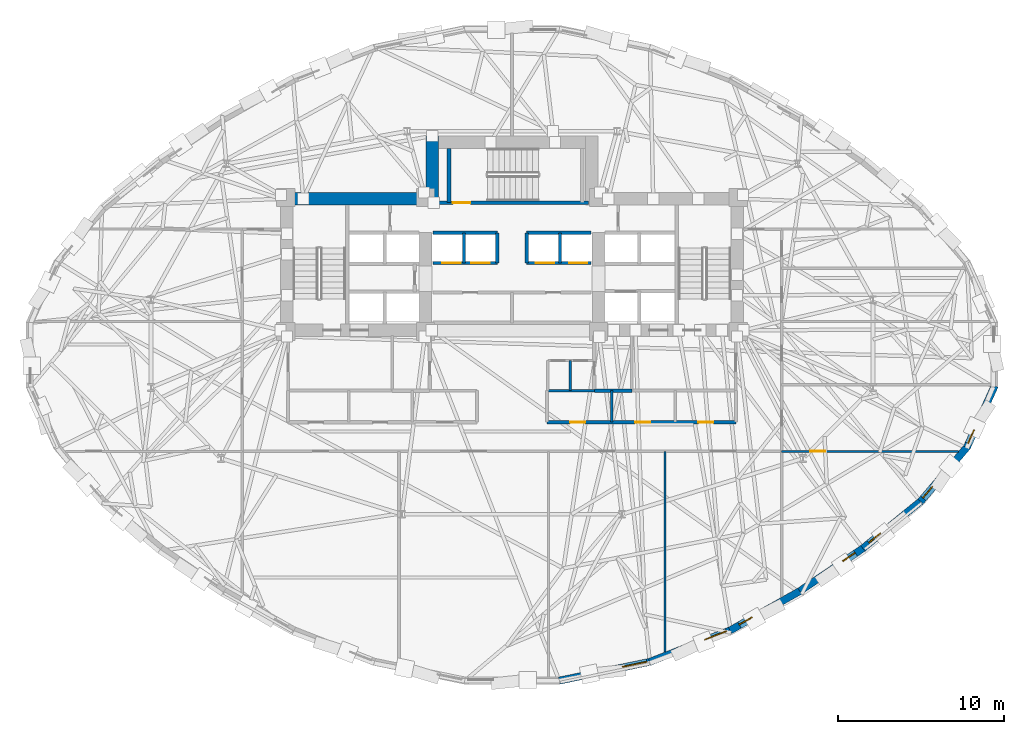
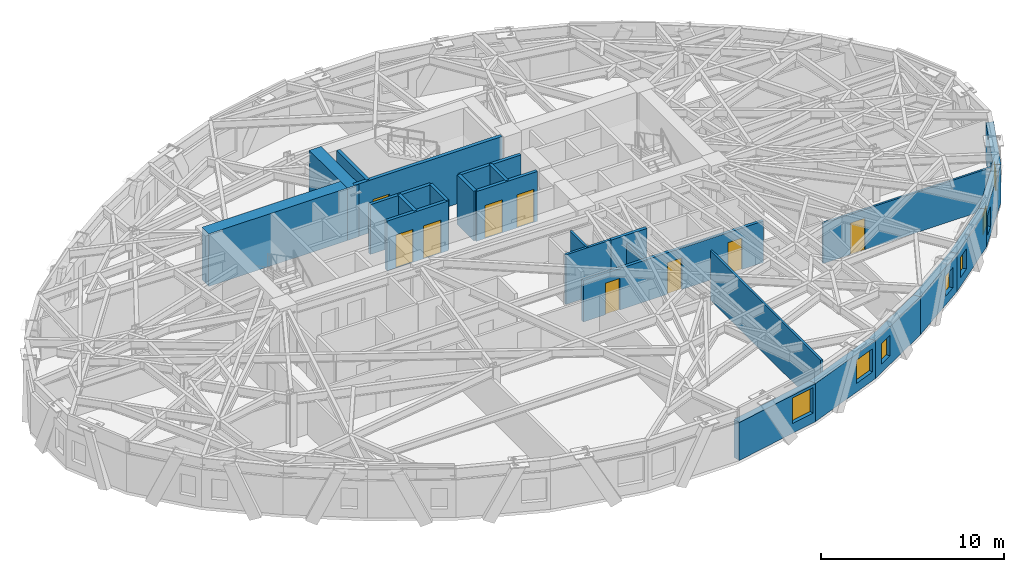
# One storey, part 8 of 14: 26 walls, 9 doors, 7 windows, 16 openings.
"""IFC4 building model written with IfcOpenShell, lengths in metres."""

import ifcopenshell
import ifcopenshell.guid

model = None  # the IFC model being written
_history = None  # IfcOwnerHistory: only IFC2X3 demands one
_inside = {}  # id of a spatial element -> (the spatial element, [elements in it])
_under = {}  # id of a project, library or spatial element -> (it, [spatial elements below it])
_declared = {}  # id of a project -> (the project, [libraries it declares])
_typed = {}  # id of a type object -> (the type object, [elements of that type])
_made_of = {}  # id of a material, layer set ... -> (it, [elements and type objects made of it])


def new_model(schema):
    """Start an empty IFC model of exactly this schema.

    Asked for "IFC4X3", IfcOpenShell would pick the latest addendum, in which some entities
    have other attributes; the version numbers below select the first issue.
    IFC2X3 requires an IfcOwnerHistory on every rooted entity: one is made here for all.
    """
    global model, _history
    if schema == "IFC4X3":
        model = ifcopenshell.file(schema_version=(4, 3, 0, 0))
    else:
        model = ifcopenshell.file(schema=schema)
    _inside.clear()
    _under.clear()
    _declared.clear()
    _typed.clear()
    _made_of.clear()
    _history = None
    if model.schema == "IFC2X3":
        org = make("IfcOrganization", Name="unknown")
        user = make(
            "IfcPersonAndOrganization",
            ThePerson=make("IfcPerson", FamilyName="unknown"),
            TheOrganization=org,
        )
        app = make(
            "IfcApplication",
            ApplicationDeveloper=org,
            Version="unknown",
            ApplicationFullName="unknown",
            ApplicationIdentifier="unknown",
        )
        _history = make(
            "IfcOwnerHistory",
            OwningUser=user,
            OwningApplication=app,
            ChangeAction="ADDED",
            CreationDate=0,
        )
    return model


def make(cls, **values):
    """One entity of the class cls with the attributes given. An attribute that is None is left unset."""
    return model.create_entity(
        cls, **{name: value for name, value in values.items() if value is not None}
    )


def rooted(cls, **values):
    """An entity with a GlobalId (a new one), such as an element, a storey or a relation."""
    return make(cls, GlobalId=ifcopenshell.guid.new(), OwnerHistory=_history, **values)


def si_unit(unit_type, name, prefix=None):
    """IfcSIUnit, for example si_unit("LENGTHUNIT", "METRE", prefix="MILLI")."""
    return make("IfcSIUnit", UnitType=unit_type, Prefix=prefix, Name=name)


def assignment(units):
    """IfcUnitAssignment: the units of a project."""
    return None if units is None else make("IfcUnitAssignment", Units=units)


def point(xyz):
    """IfcCartesianPoint."""
    return None if xyz is None else make("IfcCartesianPoint", Coordinates=xyz)


def direction(xyz):
    """IfcDirection."""
    return None if xyz is None else make("IfcDirection", DirectionRatios=xyz)


def frame(location, z_axis=None, x_axis=None):
    """IfcAxis2Placement3D, a coordinate frame: its origin and axes. An axis left out is left unset."""
    return make(
        "IfcAxis2Placement3D",
        Location=point(location),
        Axis=direction(z_axis),
        RefDirection=direction(x_axis),
    )


def frame_2d(location, x_axis=None):
    """IfcAxis2Placement2D, a coordinate frame in the plane: its origin and x axis."""
    return make(
        "IfcAxis2Placement2D", Location=point(location), RefDirection=direction(x_axis)
    )


def origin():
    """The frame at (0, 0, 0) with its axes left unset."""
    return frame((0.0, 0.0, 0.0))


def place(relative_to, where):
    """IfcLocalPlacement: puts the frame where relative to a parent placement (None: the world)."""
    return make(
        "IfcLocalPlacement", PlacementRelTo=relative_to, RelativePlacement=where
    )


def context(
    kind, dimensions, precision=None, world=None, true_north=None, identifier=None
):
    """IfcGeometricRepresentationContext, for example the 3D "Model" context."""
    return make(
        "IfcGeometricRepresentationContext",
        ContextIdentifier=identifier,
        ContextType=kind,
        CoordinateSpaceDimension=dimensions,
        Precision=precision,
        WorldCoordinateSystem=world,
        TrueNorth=true_north,
    )


def subcontext(parent, identifier, kind, view, scale=None):
    """IfcGeometricRepresentationSubContext, for example "Body" below "Model"."""
    return make(
        "IfcGeometricRepresentationSubContext",
        ContextIdentifier=identifier,
        ContextType=kind,
        ParentContext=parent,
        TargetScale=scale,
        TargetView=view,
    )


def project(units=None, contexts=None):
    """IfcProject with its units and contexts."""
    return rooted(
        "IfcProject",
        Name="project",
        RepresentationContexts=contexts,
        UnitsInContext=assignment(units),
    )


def spatial(cls, under=None, at=None, **own):
    """A site, building, storey or space (cls), placed at a placement, below another one or the project."""
    s = rooted(cls, ObjectPlacement=at, **own)
    if under is not None:
        _under.setdefault(under.id(), (under, []))[1].append(s)
    return s


def profile(cls, at=None, kind="AREA", **sizes):
    """A parametric profile (cls). Its sizes go by their IFC names, for example OverallWidth=200.0."""
    return make(cls, ProfileType=kind, Position=at, **sizes)


def rectangle(**sizes):
    """IfcRectangleProfileDef."""
    return profile("IfcRectangleProfileDef", **sizes)


def extrude(swept, where, along, depth):
    """IfcExtrudedAreaSolid: the profile swept, set in the frame where, extruded along a direction by depth."""
    return make(
        "IfcExtrudedAreaSolid",
        SweptArea=swept,
        Position=where,
        ExtrudedDirection=direction(along),
        Depth=depth,
    )


def shape(context_of_items, identifier, shape_type, items):
    """IfcShapeRepresentation: the items that make up one representation, for example the "Body"."""
    return make(
        "IfcShapeRepresentation",
        ContextOfItems=context_of_items,
        RepresentationIdentifier=identifier,
        RepresentationType=shape_type,
        Items=items,
    )


def material(Name=None, Category=None):
    """IfcMaterial."""
    return make("IfcMaterial", Name=Name, Category=Category)


def layer(
    of_material, thickness, ventilated=None, Name=None, Category=None, Priority=None
):
    """IfcMaterialLayer: one layer of a wall or slab, of a material (None: an air gap)."""
    return make(
        "IfcMaterialLayer",
        Material=of_material,
        LayerThickness=thickness,
        IsVentilated=ventilated,
        Name=Name,
        Category=Category,
        Priority=Priority,
    )


def layer_set(layers, Name=None):
    """IfcMaterialLayerSet."""
    return make("IfcMaterialLayerSet", MaterialLayers=layers, LayerSetName=Name)


def made_of(thing, what):
    """Note that an element or type object is made of a material, layer set ...; save() writes the relation."""
    if what is not None:
        _made_of.setdefault(what.id(), (what, []))[1].append(thing)
    return thing


def type_object(cls, material=None, **own):
    """A type object (cls), such as IfcWallType, which elements share."""
    return made_of(rooted(cls, **own), material)


def element(
    cls,
    number,
    at=None,
    inside=None,
    cuts=None,
    type_object=None,
    material=None,
    context=None,
    identifier="Body",
    shape_type=None,
    held_by="IfcProductDefinitionShape",
    body=None,
    shapes=None,
    **own,
):
    """One element of the class cls, such as IfcWall. Its Tag is "e" and its number.

    at: its placement. inside: the storey or other place that contains it. cuts: it is an
    opening in that element (IfcRelVoidsElement). A single representation is given by context,
    identifier, shape_type and body (its items); several are given by shapes. held_by: the class
    of the entity that holds the representations. save() writes the other relations.
    """
    e = rooted(cls, Tag="e%d" % number, ObjectPlacement=at, **own)
    if body is not None:
        shapes = [shape(context, identifier, shape_type, body)]
    if shapes is not None:
        e.Representation = make(held_by, Representations=shapes)
    if inside is not None:
        _inside.setdefault(inside.id(), (inside, []))[1].append(e)
    if cuts is not None:
        rooted(
            "IfcRelVoidsElement", RelatingBuildingElement=cuts, RelatedOpeningElement=e
        )
    if type_object is not None:
        _typed.setdefault(type_object.id(), (type_object, []))[1].append(e)
    return made_of(e, material)


def fill(opening, filler):
    """IfcRelFillsElement: the door or window that sits in an opening."""
    return rooted(
        "IfcRelFillsElement",
        RelatingOpeningElement=opening,
        RelatedBuildingElement=filler,
    )


def aggregate(whole, parts):
    """IfcRelAggregates: a whole, such as a stair, and the parts it consists of."""
    return rooted("IfcRelAggregates", RelatingObject=whole, RelatedObjects=parts)


def save(model, path):
    """Write the relations noted so far, then the file.

    IfcRelAggregates (storeys below a building ...), IfcRelContainedInSpatialStructure (elements
    in a storey), IfcRelDefinesByType, IfcRelAssociatesMaterial and IfcRelDeclares: one each for
    every whole, place, type object, material and project.
    """
    for whole, parts in _under.values():
        aggregate(whole, parts)
    for where, things in _inside.values():
        rooted(
            "IfcRelContainedInSpatialStructure",
            RelatedElements=things,
            RelatingStructure=where,
        )
    for kind, things in _typed.values():
        rooted("IfcRelDefinesByType", RelatedObjects=things, RelatingType=kind)
    for what, things in _made_of.values():
        rooted("IfcRelAssociatesMaterial", RelatedObjects=things, RelatingMaterial=what)
    for by, libraries in _declared.values():
        rooted("IfcRelDeclares", RelatingContext=by, RelatedDefinitions=libraries)
    model.write(path)


model = new_model("IFC4")

# Units and contexts
model_context = context("Model", 3, precision=1e-05, world=origin(), true_north=direction((0.0, 1.0)))
body_context = subcontext(model_context, "Body", "Model", "MODEL_VIEW")
ifc_project = project(units=[si_unit("LENGTHUNIT", "METRE"), si_unit("AREAUNIT", "SQUARE_METRE"), si_unit("VOLUMEUNIT", "CUBIC_METRE"), si_unit("PLANEANGLEUNIT", "RADIAN"), si_unit("MASSUNIT", "GRAM", prefix="KILO")], contexts=[model_context])

# Site, building, storey
site_placement = place(None, origin())
site = spatial("IfcSite", under=ifc_project, at=site_placement, CompositionType="ELEMENT")
building_placement = place(site_placement, origin())
building = spatial("IfcBuilding", under=site, at=building_placement, Name="Keldmark Tower", CompositionType="ELEMENT")
storey_placement = place(building_placement, frame((0.0, 0.0, 86.10009765625)))
storey = spatial("IfcBuildingStorey", under=building, at=storey_placement, Name="L22", CompositionType="ELEMENT", Elevation=86.10009765625)

# Wall, openings, doors
ifc_material_1 = material(Name="Heavy Acoustic Plumbing Chase Gypsum Assembly", Category="gypsum")
ifc_layer_1 = layer(ifc_material_1, 0.18994140625)
ifc_layer_set_1 = layer_set([ifc_layer_1], Name="Heavy Acoustic Plumbing Chase Gypsum Assembly")
wall_type_1 = type_object("IfcWallType", Name="Heavy Wet Wall 190 mm", PredefinedType="PLUMBINGWALL", material=ifc_layer_set_1)
wall_1_placement = place(storey_placement, frame((2.10009765625, -4.050048828125, 0.0), z_axis=(0.0, 0.0, 1.0), x_axis=(1.0, 0.0, 0.0)))
wall_1 = element("IfcWall", 1, at=wall_1_placement, inside=storey, type_object=wall_type_1, Name="L22 Heavy Wet Wall 190 mm SPK-E-S", PredefinedType="PLUMBINGWALL", context=body_context, shape_type="SweptSolid", body=[
    extrude(rectangle(XDim=11.349853515625, YDim=0.18994140625, at=frame_2d((5.6748046875, 0.0))), origin(), (0.0, 0.0, 1.0), 2.762939453125),
])
opening_1_placement = place(wall_1_placement, frame((1.39990234375, 0.0, 0.0)))
opening_1 = element("IfcOpeningElement", 2, at=opening_1_placement, cuts=wall_1, Name="Opening D-IN090", PredefinedType="OPENING", context=body_context, shape_type="SweptSolid", body=[
    extrude(rectangle(XDim=0.89990234375, YDim=2.10009765625, at=frame_2d((0.449951171875, 1.050048828125))), frame((0.0, 0.10498046875, 0.0), z_axis=(0.0, -1.0, 0.0), x_axis=(1.0, 0.0, 0.0)), (0.0, 0.0, 1.0), 0.2099609375),
])
opening_2_placement = place(wall_1_placement, frame((5.300048828125, 0.0, 0.0)))
opening_2 = element("IfcOpeningElement", 3, at=opening_2_placement, cuts=wall_1, Name="Opening D-IN090", PredefinedType="OPENING", context=body_context, shape_type="SweptSolid", body=[
    extrude(rectangle(XDim=0.89990234375, YDim=2.10009765625, at=frame_2d((0.449951171875, 1.050048828125))), frame((0.0, 0.10498046875, 0.0), z_axis=(0.0, -1.0, 0.0), x_axis=(1.0, 0.0, 0.0)), (0.0, 0.0, 1.0), 0.2099609375),
])
opening_3_placement = place(wall_1_placement, frame((9.10009765625, 0.0, 0.0)))
opening_3 = element("IfcOpeningElement", 4, at=opening_3_placement, cuts=wall_1, Name="Opening D-IN090", PredefinedType="OPENING", context=body_context, shape_type="SweptSolid", body=[
    extrude(rectangle(XDim=0.89990234375, YDim=2.10009765625, at=frame_2d((0.449951171875, 1.050048828125))), frame((0.0, 0.10498046875, 0.0), z_axis=(0.0, -1.0, 0.0), x_axis=(1.0, 0.0, 0.0)), (0.0, 0.0, 1.0), 0.2099609375),
])
ifc_material_2 = material(Name="Stained American White Oak Veneer", Category="wood")
door_type_1 = type_object("IfcDoorType", Name="Interior Door 900x2100", OperationType="NOTDEFINED", PredefinedType="DOOR", material=ifc_material_2)
door_1_placement = place(opening_1_placement, origin())
door_1 = element("IfcDoor", 5, at=door_1_placement, inside=storey, type_object=door_type_1, Name="L22 Interior Door 900x2100 D-SPKE1-L22", OperationType="SINGLE_SWING_RIGHT", OverallHeight=2.10009765625, OverallWidth=0.89990234375, PredefinedType="DOOR", context=body_context, shape_type="SweptSolid", body=[
    extrude(rectangle(XDim=0.89990234375, YDim=2.10009765625, at=frame_2d((0.449951171875, 1.050048828125))), frame((0.0, 0.02490234375, 0.0), z_axis=(0.0, -1.0, 0.0), x_axis=(1.0, 0.0, 0.0)), (0.0, 0.0, 1.0), 0.050048828125),
])
fill(opening_1, door_1)
door_2_placement = place(opening_2_placement, origin())
door_2 = element("IfcDoor", 6, at=door_2_placement, inside=storey, type_object=door_type_1, Name="L22 Interior Door 900x2100 D-SPKE2-L22", OperationType="SINGLE_SWING_LEFT", OverallHeight=2.10009765625, OverallWidth=0.89990234375, PredefinedType="DOOR", context=body_context, shape_type="SweptSolid", body=[
    extrude(rectangle(XDim=0.89990234375, YDim=2.10009765625, at=frame_2d((0.449951171875, 1.050048828125))), frame((0.0, 0.02490234375, 0.0), z_axis=(0.0, -1.0, 0.0), x_axis=(1.0, 0.0, 0.0)), (0.0, 0.0, 1.0), 0.050048828125),
])
fill(opening_2, door_2)
door_3_placement = place(opening_3_placement, origin())
door_3 = element("IfcDoor", 7, at=door_3_placement, inside=storey, type_object=door_type_1, Name="L22 Interior Door 900x2100 D-SPKE3-L22", OperationType="SINGLE_SWING_RIGHT", OverallHeight=2.10009765625, OverallWidth=0.89990234375, PredefinedType="DOOR", context=body_context, shape_type="SweptSolid", body=[
    extrude(rectangle(XDim=0.89990234375, YDim=2.10009765625, at=frame_2d((0.449951171875, 1.050048828125))), frame((0.0, 0.02490234375, 0.0), z_axis=(0.0, -1.0, 0.0), x_axis=(1.0, 0.0, 0.0)), (0.0, 0.0, 1.0), 0.050048828125),
])
fill(opening_3, door_3)

# Walls
ifc_material_3 = material(Name="Acoustic Gypsum Board Interior Partition", Category="gypsum")
ifc_layer_2 = layer(ifc_material_3, 0.1298828125)
ifc_layer_set_2 = layer_set([ifc_layer_2], Name="Acoustic Gypsum Board Interior Partition")
wall_type_2 = type_object("IfcWallType", Name="Interior Partition 130 mm", PredefinedType="PARTITIONING", material=ifc_layer_set_2)
wall_2_placement = place(storey_placement, frame((3.5, -2.14990234375, 0.0), z_axis=(0.0, 0.0, 1.0), x_axis=(0.0, 1.0, 0.0)))
element("IfcWall", 8, at=wall_2_placement, inside=storey, type_object=wall_type_2, Name="L22 Interior Partition 130 mm CSC-E-M", PredefinedType="PARTITIONING", context=body_context, shape_type="SweptSolid", body=[
    extrude(rectangle(XDim=1.7998046875, YDim=0.1298828125, at=frame_2d((0.89990234375, 0.0))), origin(), (0.0, 0.0, 1.0), 3.309814453125),
])
wall_3_placement = place(storey_placement, frame((9.199951171875, -17.847412109375, 0.0), z_axis=(0.0, 0.0, 1.0), x_axis=(0.0, 1.0, 0.0)))
element("IfcWall", 9, at=wall_3_placement, inside=storey, type_object=wall_type_2, Name="L22 Interior Partition 130 mm S-DIV-3", PredefinedType="PARTITIONING", context=body_context, shape_type="SweptSolid", body=[
    extrude(rectangle(XDim=12.04736328125, YDim=0.1298828125, at=frame_2d((6.023681640625, 0.0))), origin(), (0.0, 0.0, 1.0), 3.309814453125),
])

# Wall, opening, door
wall_4_placement = place(storey_placement, frame((16.199951171875, -5.800048828125, 0.0), z_axis=(0.0, 0.0, 1.0), x_axis=(1.0, 0.0, 0.0)))
wall_4 = element("IfcWall", 10, at=wall_4_placement, inside=storey, type_object=wall_type_2, Name="L22 Interior Partition 130 mm E-CAP-S", PredefinedType="PARTITIONING", context=body_context, shape_type="SweptSolid", body=[
    extrude(rectangle(XDim=10.62353515625, YDim=0.1298828125, at=frame_2d((5.311767578125, 0.0))), origin(), (0.0, 0.0, 1.0), 2.68798828125),
])
opening_4_placement = place(wall_4_placement, frame((1.72998046875, 0.0, 0.0)))
opening_4 = element("IfcOpeningElement", 11, at=opening_4_placement, cuts=wall_4, Name="Opening D-IN090", PredefinedType="OPENING", context=body_context, shape_type="SweptSolid", body=[
    extrude(rectangle(XDim=0.89990234375, YDim=2.10009765625, at=frame_2d((0.449951171875, 1.050048828125))), frame((0.0, 0.074951171875, 0.0), z_axis=(0.0, -1.0, 0.0), x_axis=(1.0, 0.0, 0.0)), (0.0, 0.0, 1.0), 0.14990234375),
])
door_4_placement = place(opening_4_placement, origin())
door_4 = element("IfcDoor", 12, at=door_4_placement, inside=storey, type_object=door_type_1, Name="L22 Interior Door 900x2100 D-ERSE-L22", OperationType="SINGLE_SWING_RIGHT", OverallHeight=2.10009765625, OverallWidth=0.89990234375, PredefinedType="DOOR", context=body_context, shape_type="SweptSolid", body=[
    extrude(rectangle(XDim=0.89990234375, YDim=2.10009765625, at=frame_2d((0.449951171875, 1.050048828125))), frame((0.0, 0.02490234375, 0.0), z_axis=(0.0, -1.0, 0.0), x_axis=(1.0, 0.0, 0.0)), (0.0, 0.0, 1.0), 0.050048828125),
])
fill(opening_4, door_4)

# Walls
ifc_material_4 = material(Name="Concrete C70/85", Category="concrete")
ifc_layer_3 = layer(ifc_material_4, 0.75)
ifc_layer_set_3 = layer_set([ifc_layer_3], Name="Concrete C70/85")
wall_type_3 = type_object("IfcWallType", Name="Low-Mid Core Shear Wall 750 mm", PredefinedType="SHEAR", material=ifc_layer_set_3)
wall_5_placement = place(storey_placement, frame((-13.89990234375, 9.375, 0.0), z_axis=(0.0, 0.0, 1.0), x_axis=(1.0, 0.0, 0.0)))
element("IfcWall", 13, at=wall_5_placement, inside=storey, type_object=wall_type_3, Name="L22 West Core North Shear Wall", PredefinedType="SHEAR", context=body_context, shape_type="SweptSolid", body=[
    extrude(rectangle(XDim=9.474853515625, YDim=0.75, at=frame_2d((4.7373046875, 0.0))), origin(), (0.0, 0.0, 1.0), 3.5),
])
wall_6_placement = place(storey_placement, frame((-4.800048828125, 9.0, 0.0), z_axis=(0.0, 0.0, 1.0), x_axis=(0.0, 1.0, 0.0)))
element("IfcWall", 14, at=wall_6_placement, inside=storey, type_object=wall_type_3, Name="L22 North Core West Shear Wall", PredefinedType="SHEAR", context=body_context, shape_type="SweptSolid", body=[
    extrude(rectangle(XDim=4.14990234375, YDim=0.75, at=frame_2d((2.074951171875, 0.0))), origin(), (0.0, 0.0, 1.0), 3.5),
])
ifc_material_5 = material(Name="Fire-Resistant Type X Gypsum Shaftliner Coreboard", Category="gypsum")
ifc_layer_4 = layer(ifc_material_5, 0.199951171875)
ifc_layer_set_4 = layer_set([ifc_layer_4], Name="Fire-Resistant Type X Gypsum Shaftliner Coreboard")
wall_type_4 = type_object("IfcWallType", Name="Shaft Wall 200 mm", PredefinedType="SOLIDWALL", material=ifc_layer_set_4)
wall_7_placement = place(storey_placement, frame((4.949951171875, -2.14990234375, 0.0), z_axis=(0.0, 0.0, 1.0), x_axis=(1.0, 0.0, 0.0)))
element("IfcWall", 15, at=wall_7_placement, inside=storey, type_object=wall_type_4, Name="L22 Shaft Wall 200 mm RIS-SE-S", PredefinedType="SOLIDWALL", context=body_context, shape_type="SweptSolid", body=[
    extrude(rectangle(XDim=2.25, YDim=0.199951171875, at=frame_2d((1.125, 0.0))), origin(), (0.0, 0.0, 1.0), 3.309814453125),
])

# Wall, openings, doors
wall_8_placement = place(storey_placement, frame((-4.739990234375, 5.52001953125, 0.0), z_axis=(0.0, 0.0, 1.0), x_axis=(1.0, 0.0, 0.0)))
wall_8 = element("IfcWall", 16, at=wall_8_placement, inside=storey, type_object=wall_type_4, Name="L22 Shaft Wall 200 mm MID-S-W", PredefinedType="SOLIDWALL", context=body_context, shape_type="SweptSolid", body=[
    extrude(rectangle(XDim=3.860107421875, YDim=0.199951171875, at=frame_2d((1.93017578125, 0.0))), origin(), (0.0, 0.0, 1.0), 3.309814453125),
])
opening_5_placement = place(wall_8_placement, frame((0.550048828125, 0.0, 0.0)))
opening_5 = element("IfcOpeningElement", 17, at=opening_5_placement, cuts=wall_8, Name="Opening LD-110", PredefinedType="OPENING", context=body_context, shape_type="SweptSolid", body=[
    extrude(rectangle(XDim=1.10009765625, YDim=2.199951171875, at=frame_2d((0.550048828125, 1.10009765625))), frame((0.0, 0.10986328125, 0.0), z_axis=(0.0, -1.0, 0.0), x_axis=(1.0, 0.0, 0.0)), (0.0, 0.0, 1.0), 0.219970703125),
])
opening_6_placement = place(wall_8_placement, frame((2.300048828125, 0.0, 0.0)))
opening_6 = element("IfcOpeningElement", 18, at=opening_6_placement, cuts=wall_8, Name="Opening LD-110", PredefinedType="OPENING", context=body_context, shape_type="SweptSolid", body=[
    extrude(rectangle(XDim=1.10009765625, YDim=2.199951171875, at=frame_2d((0.550048828125, 1.10009765625))), frame((0.0, 0.10986328125, 0.0), z_axis=(0.0, -1.0, 0.0), x_axis=(1.0, 0.0, 0.0)), (0.0, 0.0, 1.0), 0.219970703125),
])
ifc_material_6 = material(Name="Brushed Bronze Hoistway Sliding Leaf", Category="metal")
door_type_2 = type_object("IfcDoorType", Name="Lift Landing Sliding Door 1100x2200", OperationType="SLIDING_TO_LEFT", PredefinedType="DOOR", material=ifc_material_6)
door_5_placement = place(opening_5_placement, origin())
door_5 = element("IfcDoor", 19, at=door_5_placement, inside=storey, type_object=door_type_2, Name="L22 Lift Landing Sliding Door 1100x2200 LD-EL-M1-L22", OperationType="SLIDING_TO_LEFT", OverallHeight=2.199951171875, OverallWidth=1.10009765625, PredefinedType="DOOR", context=body_context, shape_type="SweptSolid", body=[
    extrude(rectangle(XDim=1.10009765625, YDim=2.199951171875, at=frame_2d((0.550048828125, 1.10009765625))), frame((0.0, 0.02490234375, 0.0), z_axis=(0.0, -1.0, 0.0), x_axis=(1.0, 0.0, 0.0)), (0.0, 0.0, 1.0), 0.050048828125),
])
fill(opening_5, door_5)
door_6_placement = place(opening_6_placement, origin())
door_6 = element("IfcDoor", 20, at=door_6_placement, inside=storey, type_object=door_type_2, Name="L22 Lift Landing Sliding Door 1100x2200 LD-EL-M2-L22", OperationType="SLIDING_TO_LEFT", OverallHeight=2.199951171875, OverallWidth=1.10009765625, PredefinedType="DOOR", context=body_context, shape_type="SweptSolid", body=[
    extrude(rectangle(XDim=1.10009765625, YDim=2.199951171875, at=frame_2d((0.550048828125, 1.10009765625))), frame((0.0, 0.02490234375, 0.0), z_axis=(0.0, -1.0, 0.0), x_axis=(1.0, 0.0, 0.0)), (0.0, 0.0, 1.0), 0.050048828125),
])
fill(opening_6, door_6)

wall_9_placement = place(storey_placement, frame((0.8798828125, 5.52001953125, 0.0), z_axis=(0.0, 0.0, 1.0), x_axis=(1.0, 0.0, 0.0)))
wall_9 = element("IfcWall", 21, at=wall_9_placement, inside=storey, type_object=wall_type_4, Name="L22 Shaft Wall 200 mm MID-S-E", PredefinedType="SOLIDWALL", context=body_context, shape_type="SweptSolid", body=[
    extrude(rectangle(XDim=3.860107421875, YDim=0.199951171875, at=frame_2d((1.93017578125, 0.0))), origin(), (0.0, 0.0, 1.0), 3.309814453125),
])
opening_7_placement = place(wall_9_placement, frame((0.550048828125, 0.0, 0.0)))
opening_7 = element("IfcOpeningElement", 22, at=opening_7_placement, cuts=wall_9, Name="Opening LD-110", PredefinedType="OPENING", context=body_context, shape_type="SweptSolid", body=[
    extrude(rectangle(XDim=1.10009765625, YDim=2.199951171875, at=frame_2d((0.550048828125, 1.10009765625))), frame((0.0, 0.10986328125, 0.0), z_axis=(0.0, -1.0, 0.0), x_axis=(1.0, 0.0, 0.0)), (0.0, 0.0, 1.0), 0.219970703125),
])
opening_8_placement = place(wall_9_placement, frame((2.550048828125, 0.0, 0.0)))
opening_8 = element("IfcOpeningElement", 23, at=opening_8_placement, cuts=wall_9, Name="Opening LD-110", PredefinedType="OPENING", context=body_context, shape_type="SweptSolid", body=[
    extrude(rectangle(XDim=1.10009765625, YDim=2.199951171875, at=frame_2d((0.550048828125, 1.10009765625))), frame((0.0, 0.10986328125, 0.0), z_axis=(0.0, -1.0, 0.0), x_axis=(1.0, 0.0, 0.0)), (0.0, 0.0, 1.0), 0.219970703125),
])
door_7_placement = place(opening_7_placement, origin())
door_7 = element("IfcDoor", 24, at=door_7_placement, inside=storey, type_object=door_type_2, Name="L22 Lift Landing Sliding Door 1100x2200 LD-EL-M3-L22", OperationType="SLIDING_TO_LEFT", OverallHeight=2.199951171875, OverallWidth=1.10009765625, PredefinedType="DOOR", context=body_context, shape_type="SweptSolid", body=[
    extrude(rectangle(XDim=1.10009765625, YDim=2.199951171875, at=frame_2d((0.550048828125, 1.10009765625))), frame((0.0, 0.02490234375, 0.0), z_axis=(0.0, -1.0, 0.0), x_axis=(1.0, 0.0, 0.0)), (0.0, 0.0, 1.0), 0.050048828125),
])
fill(opening_7, door_7)
door_8_placement = place(opening_8_placement, origin())
door_8 = element("IfcDoor", 25, at=door_8_placement, inside=storey, type_object=door_type_2, Name="L22 Lift Landing Sliding Door 1100x2200 LD-EL-M4-L22", OperationType="SLIDING_TO_LEFT", OverallHeight=2.199951171875, OverallWidth=1.10009765625, PredefinedType="DOOR", context=body_context, shape_type="SweptSolid", body=[
    extrude(rectangle(XDim=1.10009765625, YDim=2.199951171875, at=frame_2d((0.550048828125, 1.10009765625))), frame((0.0, 0.02490234375, 0.0), z_axis=(0.0, -1.0, 0.0), x_axis=(1.0, 0.0, 0.0)), (0.0, 0.0, 1.0), 0.050048828125),
])
fill(opening_8, door_8)

# Walls
for number, where, z_axis, x_axis, name in (
    (26, (-4.739990234375, 7.330078125, 0.0), (0.0, 0.0, 1.0), (1.0, 0.0, 0.0), "L22 Shaft Wall 200 mm MID-N-W"),
    (27, (0.8798828125, 7.330078125, 0.0), (0.0, 0.0, 1.0), (1.0, 0.0, 0.0), "L22 Shaft Wall 200 mm MID-N-E"),
):
    element("IfcWall", number, at=place(storey_placement, frame(where, z_axis=z_axis, x_axis=x_axis)), inside=storey, type_object=wall_type_4, Name=name, PredefinedType="SOLIDWALL", context=body_context, shape_type="SweptSolid", body=[
        extrude(rectangle(XDim=3.860107421875, YDim=0.199951171875, at=frame_2d((1.93017578125, 0.0))), origin(), (0.0, 0.0, 1.0), 3.309814453125),
    ])
for number, where, z_axis, x_axis, name in (
    (28, (-2.8798828125, 5.52001953125, 0.0), (0.0, 0.0, 1.0), (0.0, 1.0, 0.0), "L22 Shaft Wall 200 mm MID-M-W"),
    (29, (2.8798828125, 5.52001953125, 0.0), (0.0, 0.0, 1.0), (0.0, 1.0, 0.0), "L22 Shaft Wall 200 mm MID-M-E"),
    (30, (-0.8798828125, 5.52001953125, 0.0), (0.0, 0.0, 1.0), (0.0, 1.0, 0.0), "L22 Shaft Wall 200 mm MID-C-W"),
    (31, (0.8798828125, 5.52001953125, 0.0), (0.0, 0.0, 1.0), (0.0, 1.0, 0.0), "L22 Shaft Wall 200 mm MID-C-E"),
):
    element("IfcWall", number, at=place(storey_placement, frame(where, z_axis=z_axis, x_axis=x_axis)), inside=storey, type_object=wall_type_4, Name=name, PredefinedType="SOLIDWALL", context=body_context, shape_type="SweptSolid", body=[
        extrude(rectangle(XDim=1.81005859375, YDim=0.199951171875, at=frame_2d((0.905029296875, 0.0))), origin(), (0.0, 0.0, 1.0), 3.309814453125),
    ])

# Wall, opening, door
ifc_material_7 = material(Name="Concrete C50/60", Category="concrete")
ifc_layer_5 = layer(ifc_material_7, 0.219970703125)
ifc_layer_set_5 = layer_set([ifc_layer_5], Name="Concrete C50/60")
wall_type_5 = type_object("IfcWallType", Name="Stair Core Shear Wall 220 mm", PredefinedType="SHEAR", material=ifc_layer_set_5)
wall_10_placement = place(storey_placement, frame((-4.699951171875, 9.139892578125, 0.0), z_axis=(0.0, 0.0, 1.0), x_axis=(1.0, 0.0, 0.0)))
wall_10 = element("IfcWall", 32, at=wall_10_placement, inside=storey, type_object=wall_type_5, Name="L22 Central Stair Core South Shear Wall", PredefinedType="SHEAR", context=body_context, shape_type="SweptSolid", body=[
    extrude(rectangle(XDim=9.300048828125, YDim=0.219970703125, at=frame_2d((4.64990234375, 0.0))), origin(), (0.0, 0.0, 1.0), 3.5),
])
opening_9_placement = place(wall_10_placement, frame((1.14990234375, 0.0, 0.0)))
opening_9 = element("IfcOpeningElement", 33, at=opening_9_placement, cuts=wall_10, Name="Opening D-ST105", PredefinedType="OPENING", context=body_context, shape_type="SweptSolid", body=[
    extrude(rectangle(XDim=1.050048828125, YDim=2.14990234375, at=frame_2d((0.52490234375, 1.074951171875))), frame((0.0, 0.119873046875, 0.0), z_axis=(0.0, -1.0, 0.0), x_axis=(1.0, 0.0, 0.0)), (0.0, 0.0, 1.0), 0.239990234375),
])
ifc_material_8 = material(Name="Hollow Metal Fire-Rated Door Assembly", Category="metal")
door_type_3 = type_object("IfcDoorType", Name="Stair Fire Door 1050x2150", OperationType="NOTDEFINED", PredefinedType="DOOR", material=ifc_material_8)
door_9_placement = place(opening_9_placement, origin())
door_9 = element("IfcDoor", 34, at=door_9_placement, inside=storey, type_object=door_type_3, Name="L22 Stair Fire Door 1050x2150 D-ST3-L22", OperationType="SINGLE_SWING_RIGHT", OverallHeight=2.14990234375, OverallWidth=1.050048828125, PredefinedType="DOOR", context=body_context, shape_type="SweptSolid", body=[
    extrude(rectangle(XDim=1.050048828125, YDim=2.14990234375, at=frame_2d((0.52490234375, 1.074951171875))), frame((0.0, 0.02490234375, 0.0), z_axis=(0.0, -1.0, 0.0), x_axis=(1.0, 0.0, 0.0)), (0.0, 0.0, 1.0), 0.050048828125),
])
fill(opening_9, door_9)

# Wall
wall_11_placement = place(storey_placement, frame((-3.784912109375, 9.139892578125, 0.0), z_axis=(0.0, 0.0, 1.0), x_axis=(0.0, 1.0, 0.0)))
element("IfcWall", 35, at=wall_11_placement, inside=storey, type_object=wall_type_5, Name="L22 Central Stair Core West Shear Wall", PredefinedType="SHEAR", context=body_context, shape_type="SweptSolid", body=[
    extrude(rectangle(XDim=3.260009765625, YDim=0.219970703125, at=frame_2d((1.6298828125, 0.0))), origin(), (0.0, 0.0, 1.0), 3.5),
])

# Wall, opening, window
ifc_material_9 = material(Name="Ironspot Manganese Brick and Kasota Buff Limestone Spandrel Assembly", Category="masonry")
ifc_layer_6 = layer(ifc_material_9, 0.43994140625)
ifc_layer_set_6 = layer_set([ifc_layer_6], Name="Ironspot Manganese Brick and Kasota Buff Limestone Spandrel Assembly")
wall_type_6 = type_object("IfcWallType", Name="Tower Brick Pier and Spandrel Wall 440 mm", PredefinedType="STANDARD", material=ifc_layer_set_6)
wall_12_placement = place(storey_placement, frame((8.306884765625, -18.445556640625, 0.0), z_axis=(0.0, 0.0, 1.0), x_axis=(-0.979118590293, -0.20328990664, 0.0)))
wall_12 = element("IfcWall", 36, at=wall_12_placement, inside=storey, type_object=wall_type_6, Name="L22 Exterior Brick and Spandrel Wall 25", PredefinedType="STANDARD", context=body_context, shape_type="SweptSolid", body=[
    extrude(rectangle(XDim=5.591552734375, YDim=0.43994140625, at=frame_2d((2.7958984375, 0.0))), origin(), (0.0, 0.0, 1.0), 2.52783203125),
])
opening_10_placement = place(wall_12_placement, frame((0.199951171875, 0.0, 0.64990234375)))
opening_10 = element("IfcOpeningElement", 37, at=opening_10_placement, cuts=wall_12, Name="Opening W-03", PredefinedType="OPENING", context=body_context, shape_type="SweptSolid", body=[
    extrude(rectangle(XDim=1.5, YDim=1.699951171875, at=frame_2d((0.75, 0.85009765625))), frame((0.0, 0.22998046875, 0.0), z_axis=(0.0, -1.0, 0.0), x_axis=(1.0, 0.0, 0.0)), (0.0, 0.0, 1.0), 0.4599609375),
])
ifc_material_10 = material(Name="Thermally Broken Anodized Aluminum and Triple Low-E Argon Glazing", Category="aluminium")
window_type_1 = type_object("IfcWindowType", Name="Office Corner Deep-Set Window 1500x1700", PartitioningType="DOUBLE_PANEL_VERTICAL", PredefinedType="WINDOW", material=ifc_material_10)
window_1_placement = place(opening_10_placement, origin())
window_1 = element("IfcWindow", 38, at=window_1_placement, inside=storey, type_object=window_type_1, Name="L22 Deep-Set Window 25", OverallHeight=1.699951171875, OverallWidth=1.5, PartitioningType="SINGLE_PANEL", PredefinedType="WINDOW", context=body_context, shape_type="SweptSolid", body=[
    extrude(rectangle(XDim=1.5, YDim=1.699951171875, at=frame_2d((0.75, 0.85009765625))), frame((0.0, -0.010009765625, 0.0), z_axis=(0.0, -1.0, 0.0), x_axis=(1.0, 0.0, 0.0)), (0.0, 0.0, 1.0), 0.06005859375),
])
fill(opening_10, window_1)

wall_13_placement = place(storey_placement, frame((13.133056640625, -16.551025390625, 0.0), z_axis=(0.0, 0.0, 1.0), x_axis=(-0.931059171354, -0.364868222017, 0.0)))
wall_13 = element("IfcWall", 39, at=wall_13_placement, inside=storey, type_object=wall_type_6, Name="L22 Exterior Brick and Spandrel Wall 26", PredefinedType="STANDARD", context=body_context, shape_type="SweptSolid", body=[
    extrude(rectangle(XDim=5.221923828125, YDim=0.43994140625, at=frame_2d((2.61083984375, 0.0))), origin(), (0.0, 0.0, 1.0), 2.52783203125),
])
opening_11_placement = place(wall_13_placement, frame((0.24951171875, 0.0, 0.580078125)))
opening_11 = element("IfcOpeningElement", 40, at=opening_11_placement, cuts=wall_13, Name="Opening W-08", PredefinedType="OPENING", context=body_context, shape_type="SweptSolid", body=[
    extrude(rectangle(XDim=1.39990234375, YDim=1.550048828125, at=frame_2d((0.699951171875, 0.77490234375))), frame((0.0, 0.22998046875, 0.0), z_axis=(0.0, -1.0, 0.0), x_axis=(1.0, 0.0, 0.0)), (0.0, 0.0, 1.0), 0.4599609375),
])
ifc_material_11 = material(Name="Thermally Broken Anodized Aluminum and Triple Low-E Argon Glazing", Category="aluminium")
window_type_2 = type_object("IfcWindowType", Name="Residential Corner Punched Window 1400x1550", PartitioningType="SINGLE_PANEL", PredefinedType="WINDOW", material=ifc_material_11)
window_2_placement = place(opening_11_placement, origin())
window_2 = element("IfcWindow", 41, at=window_2_placement, inside=storey, type_object=window_type_2, Name="L22 Deep-Set Window 26", OverallHeight=1.550048828125, OverallWidth=1.39990234375, PartitioningType="SINGLE_PANEL", PredefinedType="WINDOW", context=body_context, shape_type="SweptSolid", body=[
    extrude(rectangle(XDim=1.39990234375, YDim=1.550048828125, at=frame_2d((0.699951171875, 0.77490234375))), frame((0.0, -0.010009765625, 0.0), z_axis=(0.0, -1.0, 0.0), x_axis=(1.0, 0.0, 0.0)), (0.0, 0.0, 1.0), 0.06005859375),
])
fill(opening_11, window_2)

wall_14_placement = place(storey_placement, frame((17.306396484375, -14.19140625, 0.0), z_axis=(0.0, 0.0, 1.0), x_axis=(-0.870732411856, -0.491757121903, 0.0)))
wall_14 = element("IfcWall", 42, at=wall_14_placement, inside=storey, type_object=wall_type_6, Name="L22 Exterior Brick and Spandrel Wall 27", PredefinedType="STANDARD", context=body_context, shape_type="SweptSolid", body=[
    extrude(rectangle(XDim=4.8251953125, YDim=0.43994140625, at=frame_2d((2.41259765625, 0.0))), origin(), (0.0, 0.0, 1.0), 2.52783203125),
])
opening_12_placement = place(wall_14_placement, frame((3.2783203125, 0.0, 0.580078125)))
opening_12 = element("IfcOpeningElement", 43, at=opening_12_placement, cuts=wall_14, Name="Opening W-09", PredefinedType="OPENING", context=body_context, shape_type="SweptSolid", body=[
    extrude(rectangle(XDim=0.89990234375, YDim=1.35009765625, at=frame_2d((0.449951171875, 0.675048828125))), frame((0.0, 0.22998046875, 0.0), z_axis=(0.0, -1.0, 0.0), x_axis=(1.0, 0.0, 0.0)), (0.0, 0.0, 1.0), 0.4599609375),
])
ifc_material_12 = material(Name="Thermally Broken Anodized Aluminum and Triple Low-E Argon Glazing", Category="aluminium")
window_type_3 = type_object("IfcWindowType", Name="Corner Pier Deep-Set Window 900x1350", PartitioningType="SINGLE_PANEL", PredefinedType="WINDOW", material=ifc_material_12)
window_3_placement = place(opening_12_placement, origin())
window_3 = element("IfcWindow", 44, at=window_3_placement, inside=storey, type_object=window_type_3, Name="L22 Deep-Set Window 27", OverallHeight=1.35009765625, OverallWidth=0.89990234375, PartitioningType="SINGLE_PANEL", PredefinedType="WINDOW", context=body_context, shape_type="SweptSolid", body=[
    extrude(rectangle(XDim=0.89990234375, YDim=1.35009765625, at=frame_2d((0.449951171875, 0.675048828125))), frame((0.0, -0.010009765625, 0.0), z_axis=(0.0, -1.0, 0.0), x_axis=(1.0, 0.0, 0.0)), (0.0, 0.0, 1.0), 0.06005859375),
])
fill(opening_12, window_3)

wall_15_placement = place(storey_placement, frame((21.09619140625, -11.621826171875, 0.0), z_axis=(0.0, 0.0, 1.0), x_axis=(-0.827777061901, -0.561057159112, 0.0)))
wall_15 = element("IfcWall", 45, at=wall_15_placement, inside=storey, type_object=wall_type_6, Name="L22 Exterior Brick and Spandrel Wall 28", PredefinedType="STANDARD", context=body_context, shape_type="SweptSolid", body=[
    extrude(rectangle(XDim=4.596923828125, YDim=0.43994140625, at=frame_2d((2.29833984375, 0.0))), origin(), (0.0, 0.0, 1.0), 2.52783203125),
])
opening_13_placement = place(wall_15_placement, frame((0.5498046875, 0.0, 0.580078125)))
opening_13 = element("IfcOpeningElement", 46, at=opening_13_placement, cuts=wall_15, Name="Opening W-09", PredefinedType="OPENING", context=body_context, shape_type="SweptSolid", body=[
    extrude(rectangle(XDim=0.89990234375, YDim=1.35009765625, at=frame_2d((0.449951171875, 0.675048828125))), frame((0.0, 0.22998046875, 0.0), z_axis=(0.0, -1.0, 0.0), x_axis=(1.0, 0.0, 0.0)), (0.0, 0.0, 1.0), 0.4599609375),
])
window_4_placement = place(opening_13_placement, origin())
window_4 = element("IfcWindow", 47, at=window_4_placement, inside=storey, type_object=window_type_3, Name="L22 Deep-Set Window 28", OverallHeight=1.35009765625, OverallWidth=0.89990234375, PartitioningType="SINGLE_PANEL", PredefinedType="WINDOW", context=body_context, shape_type="SweptSolid", body=[
    extrude(rectangle(XDim=0.89990234375, YDim=1.35009765625, at=frame_2d((0.449951171875, 0.675048828125))), frame((0.0, -0.010009765625, 0.0), z_axis=(0.0, -1.0, 0.0), x_axis=(1.0, 0.0, 0.0)), (0.0, 0.0, 1.0), 0.06005859375),
])
fill(opening_13, window_4)

wall_16_placement = place(storey_placement, frame((24.58154296875, -8.785400390625, 0.0), z_axis=(0.0, 0.0, 1.0), x_axis=(-0.775728286929, -0.631067052585, 0.0)))
wall_16 = element("IfcWall", 48, at=wall_16_placement, inside=storey, type_object=wall_type_6, Name="L22 Exterior Brick and Spandrel Wall 29", PredefinedType="STANDARD", context=body_context, shape_type="SweptSolid", body=[
    extrude(rectangle(XDim=4.512939453125, YDim=0.43994140625, at=frame_2d((2.25634765625, 0.0))), origin(), (0.0, 0.0, 1.0), 2.52783203125),
])
opening_14_placement = place(wall_16_placement, frame((3.1162109375, 0.0, 0.580078125)))
opening_14 = element("IfcOpeningElement", 49, at=opening_14_placement, cuts=wall_16, Name="Opening W-09", PredefinedType="OPENING", context=body_context, shape_type="SweptSolid", body=[
    extrude(rectangle(XDim=0.89990234375, YDim=1.35009765625, at=frame_2d((0.449951171875, 0.675048828125))), frame((0.0, 0.22998046875, 0.0), z_axis=(0.0, -1.0, 0.0), x_axis=(1.0, 0.0, 0.0)), (0.0, 0.0, 1.0), 0.4599609375),
])
window_5_placement = place(opening_14_placement, origin())
window_5 = element("IfcWindow", 50, at=window_5_placement, inside=storey, type_object=window_type_3, Name="L22 Deep-Set Window 29", OverallHeight=1.35009765625, OverallWidth=0.89990234375, PartitioningType="SINGLE_PANEL", PredefinedType="WINDOW", context=body_context, shape_type="SweptSolid", body=[
    extrude(rectangle(XDim=0.89990234375, YDim=1.35009765625, at=frame_2d((0.449951171875, 0.675048828125))), frame((0.0, -0.010009765625, 0.0), z_axis=(0.0, -1.0, 0.0), x_axis=(1.0, 0.0, 0.0)), (0.0, 0.0, 1.0), 0.06005859375),
])
fill(opening_14, window_5)

wall_17_placement = place(storey_placement, frame((27.363525390625, -5.51806640625, 0.0), z_axis=(0.0, 0.0, 1.0), x_axis=(-0.648913975558, -0.760861782669, 0.0)))
wall_17 = element("IfcWall", 51, at=wall_17_placement, inside=storey, type_object=wall_type_6, Name="L22 Exterior Brick and Spandrel Wall 30", PredefinedType="STANDARD", context=body_context, shape_type="SweptSolid", body=[
    extrude(rectangle(XDim=4.3310546875, YDim=0.43994140625, at=frame_2d((2.16552734375, 0.0))), origin(), (0.0, 0.0, 1.0), 2.52783203125),
])
opening_15_placement = place(wall_17_placement, frame((3.181396484375, 0.0, 0.580078125)))
opening_15 = element("IfcOpeningElement", 52, at=opening_15_placement, cuts=wall_17, Name="Opening W-09", PredefinedType="OPENING", context=body_context, shape_type="SweptSolid", body=[
    extrude(rectangle(XDim=0.89990234375, YDim=1.35009765625, at=frame_2d((0.449951171875, 0.675048828125))), frame((0.0, 0.22998046875, 0.0), z_axis=(0.0, -1.0, 0.0), x_axis=(1.0, 0.0, 0.0)), (0.0, 0.0, 1.0), 0.4599609375),
])
window_6_placement = place(opening_15_placement, origin())
window_6 = element("IfcWindow", 53, at=window_6_placement, inside=storey, type_object=window_type_3, Name="L22 Deep-Set Window 30", OverallHeight=1.35009765625, OverallWidth=0.89990234375, PartitioningType="SINGLE_PANEL", PredefinedType="WINDOW", context=body_context, shape_type="SweptSolid", body=[
    extrude(rectangle(XDim=0.89990234375, YDim=1.35009765625, at=frame_2d((0.449951171875, 0.675048828125))), frame((0.0, -0.010009765625, 0.0), z_axis=(0.0, -1.0, 0.0), x_axis=(1.0, 0.0, 0.0)), (0.0, 0.0, 1.0), 0.06005859375),
])
fill(opening_15, window_6)

wall_18_placement = place(storey_placement, frame((29.007568359375, -1.859375, 0.0), z_axis=(0.0, 0.0, 1.0), x_axis=(-0.411809988363, -0.911269736952, 0.0)))
wall_18 = element("IfcWall", 54, at=wall_18_placement, inside=storey, type_object=wall_type_6, Name="L22 Exterior Brick and Spandrel Wall 31", PredefinedType="STANDARD", context=body_context, shape_type="SweptSolid", body=[
    extrude(rectangle(XDim=4.072265625, YDim=0.43994140625, at=frame_2d((2.0361328125, 0.0))), origin(), (0.0, 0.0, 1.0), 2.52783203125),
])
opening_16_placement = place(wall_18_placement, frame((2.922607421875, 0.0, 0.580078125)))
opening_16 = element("IfcOpeningElement", 55, at=opening_16_placement, cuts=wall_18, Name="Opening W-09", PredefinedType="OPENING", context=body_context, shape_type="SweptSolid", body=[
    extrude(rectangle(XDim=0.89990234375, YDim=1.35009765625, at=frame_2d((0.449951171875, 0.675048828125))), frame((0.0, 0.22998046875, 0.0), z_axis=(0.0, -1.0, 0.0), x_axis=(1.0, 0.0, 0.0)), (0.0, 0.0, 1.0), 0.4599609375),
])
window_7_placement = place(opening_16_placement, origin())
window_7 = element("IfcWindow", 56, at=window_7_placement, inside=storey, type_object=window_type_3, Name="L22 Deep-Set Window 31", OverallHeight=1.35009765625, OverallWidth=0.89990234375, PartitioningType="SINGLE_PANEL", PredefinedType="WINDOW", context=body_context, shape_type="SweptSolid", body=[
    extrude(rectangle(XDim=0.89990234375, YDim=1.35009765625, at=frame_2d((0.449951171875, 0.675048828125))), frame((0.0, -0.010009765625, 0.0), z_axis=(0.0, -1.0, 0.0), x_axis=(1.0, 0.0, 0.0)), (0.0, 0.0, 1.0), 0.06005859375),
])
fill(opening_16, window_7)

# Walls
ifc_material_13 = material(Name="Moisture-Resistant Gypsum Plumbing Partition", Category="gypsum")
ifc_layer_7 = layer(ifc_material_13, 0.14990234375)
ifc_layer_set_7 = layer_set([ifc_layer_7], Name="Moisture-Resistant Gypsum Plumbing Partition")
wall_type_7 = type_object("IfcWallType", Name="Wet Wall 150 mm", PredefinedType="PLUMBINGWALL", material=ifc_layer_set_7)
wall_19_placement = place(storey_placement, frame((2.10009765625, -2.14990234375, 0.0), z_axis=(0.0, 0.0, 1.0), x_axis=(1.0, 0.0, 0.0)))
element("IfcWall", 57, at=wall_19_placement, inside=storey, type_object=wall_type_7, Name="L22 Wet Wall 150 mm SPK-E-N", PredefinedType="PLUMBINGWALL", context=body_context, shape_type="SweptSolid", body=[
    extrude(rectangle(XDim=2.849853515625, YDim=0.14990234375, at=frame_2d((1.4248046875, 0.0))), origin(), (0.0, 0.0, 1.0), 3.309814453125),
])
wall_20_placement = place(storey_placement, frame((6.0, -4.050048828125, 0.0), z_axis=(0.0, 0.0, 1.0), x_axis=(0.0, 1.0, 0.0)))
element("IfcWall", 58, at=wall_20_placement, inside=storey, type_object=wall_type_7, Name="L22 Wet Wall 150 mm SPK-E-D1", PredefinedType="PLUMBINGWALL", context=body_context, shape_type="SweptSolid", body=[
    extrude(rectangle(XDim=1.900146484375, YDim=0.14990234375, at=frame_2d((0.9501953125, 0.0))), origin(), (0.0, 0.0, 1.0), 2.7509765625),
])

save(model, "model.ifc")
